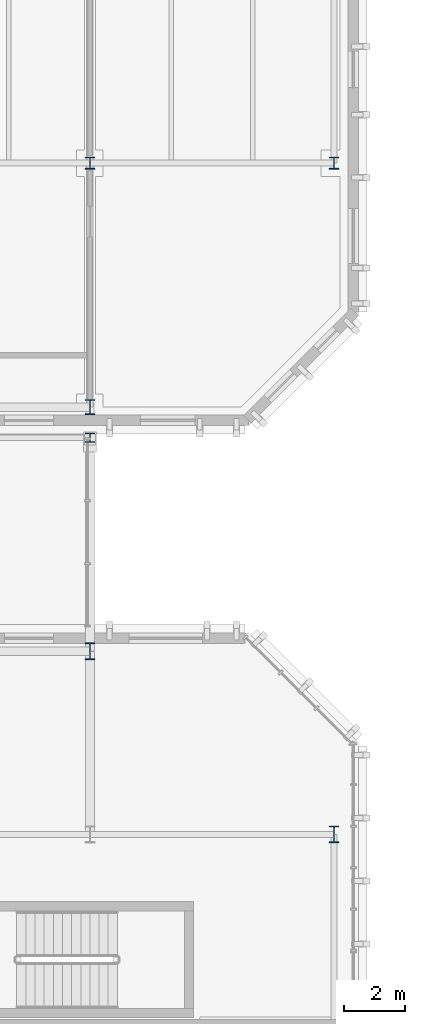
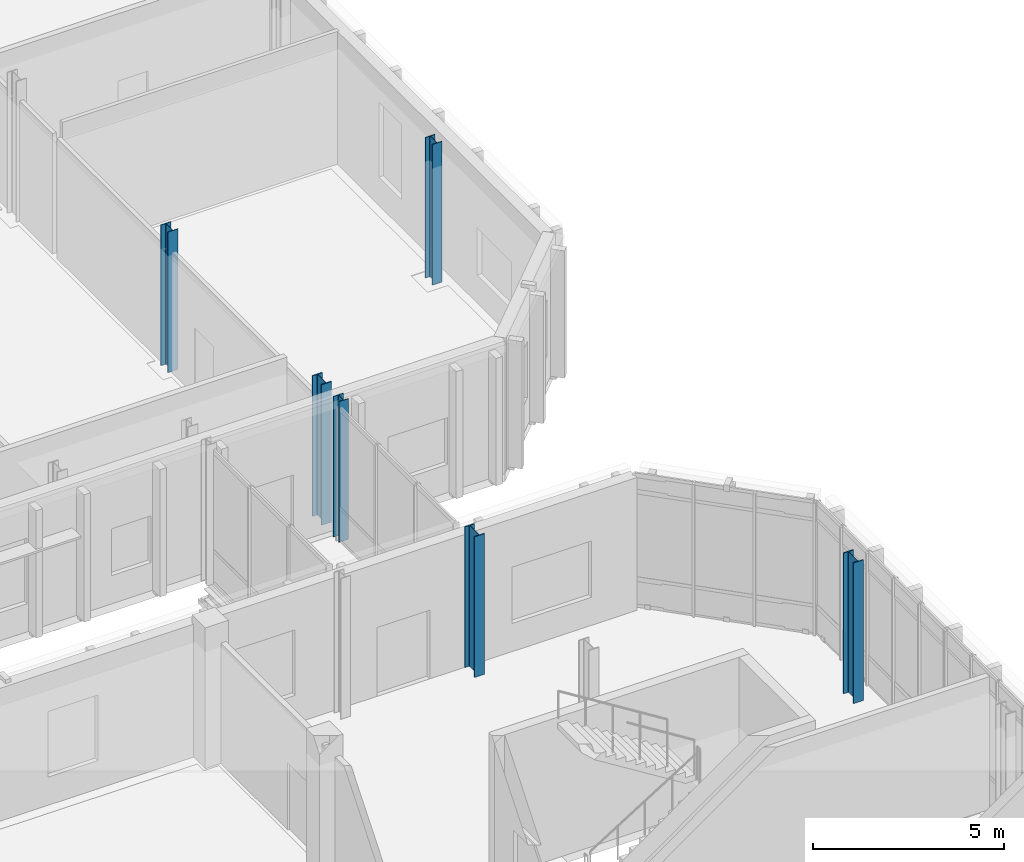
# One storey, part 9 of 100: 6 columns.
"""IFC4 building model written with IfcOpenShell, lengths in metres."""

import ifcopenshell
import ifcopenshell.guid

model = None  # the IFC model being written
_history = None  # IfcOwnerHistory: only IFC2X3 demands one
_inside = {}  # id of a spatial element -> (the spatial element, [elements in it])
_under = {}  # id of a project, library or spatial element -> (it, [spatial elements below it])
_declared = {}  # id of a project -> (the project, [libraries it declares])
_typed = {}  # id of a type object -> (the type object, [elements of that type])
_made_of = {}  # id of a material, layer set ... -> (it, [elements and type objects made of it])


def new_model(schema):
    """Start an empty IFC model of exactly this schema.

    Asked for "IFC4X3", IfcOpenShell would pick the latest addendum, in which some entities
    have other attributes; the version numbers below select the first issue.
    IFC2X3 requires an IfcOwnerHistory on every rooted entity: one is made here for all.
    """
    global model, _history
    if schema == "IFC4X3":
        model = ifcopenshell.file(schema_version=(4, 3, 0, 0))
    else:
        model = ifcopenshell.file(schema=schema)
    _inside.clear()
    _under.clear()
    _declared.clear()
    _typed.clear()
    _made_of.clear()
    _history = None
    if model.schema == "IFC2X3":
        org = make("IfcOrganization", Name="unknown")
        user = make(
            "IfcPersonAndOrganization",
            ThePerson=make("IfcPerson", FamilyName="unknown"),
            TheOrganization=org,
        )
        app = make(
            "IfcApplication",
            ApplicationDeveloper=org,
            Version="unknown",
            ApplicationFullName="unknown",
            ApplicationIdentifier="unknown",
        )
        _history = make(
            "IfcOwnerHistory",
            OwningUser=user,
            OwningApplication=app,
            ChangeAction="ADDED",
            CreationDate=0,
        )
    return model


def make(cls, **values):
    """One entity of the class cls with the attributes given. An attribute that is None is left unset."""
    return model.create_entity(
        cls, **{name: value for name, value in values.items() if value is not None}
    )


def rooted(cls, **values):
    """An entity with a GlobalId (a new one), such as an element, a storey or a relation."""
    return make(cls, GlobalId=ifcopenshell.guid.new(), OwnerHistory=_history, **values)


def si_unit(unit_type, name, prefix=None):
    """IfcSIUnit, for example si_unit("LENGTHUNIT", "METRE", prefix="MILLI")."""
    return make("IfcSIUnit", UnitType=unit_type, Prefix=prefix, Name=name)


def assignment(units):
    """IfcUnitAssignment: the units of a project."""
    return None if units is None else make("IfcUnitAssignment", Units=units)


def point(xyz):
    """IfcCartesianPoint."""
    return None if xyz is None else make("IfcCartesianPoint", Coordinates=xyz)


def direction(xyz):
    """IfcDirection."""
    return None if xyz is None else make("IfcDirection", DirectionRatios=xyz)


def frame(location, z_axis=None, x_axis=None):
    """IfcAxis2Placement3D, a coordinate frame: its origin and axes. An axis left out is left unset."""
    return make(
        "IfcAxis2Placement3D",
        Location=point(location),
        Axis=direction(z_axis),
        RefDirection=direction(x_axis),
    )


def frame_2d(location, x_axis=None):
    """IfcAxis2Placement2D, a coordinate frame in the plane: its origin and x axis."""
    return make(
        "IfcAxis2Placement2D", Location=point(location), RefDirection=direction(x_axis)
    )


def origin():
    """The frame at (0, 0, 0) with its axes left unset."""
    return frame((0.0, 0.0, 0.0))


def origin_2d():
    """The frame at (0, 0) in the plane with its x axis left unset."""
    return frame_2d((0.0, 0.0))


def place(relative_to, where):
    """IfcLocalPlacement: puts the frame where relative to a parent placement (None: the world)."""
    return make(
        "IfcLocalPlacement", PlacementRelTo=relative_to, RelativePlacement=where
    )


def context(
    kind, dimensions, precision=None, world=None, true_north=None, identifier=None
):
    """IfcGeometricRepresentationContext, for example the 3D "Model" context."""
    return make(
        "IfcGeometricRepresentationContext",
        ContextIdentifier=identifier,
        ContextType=kind,
        CoordinateSpaceDimension=dimensions,
        Precision=precision,
        WorldCoordinateSystem=world,
        TrueNorth=true_north,
    )


def subcontext(parent, identifier, kind, view, scale=None):
    """IfcGeometricRepresentationSubContext, for example "Body" below "Model"."""
    return make(
        "IfcGeometricRepresentationSubContext",
        ContextIdentifier=identifier,
        ContextType=kind,
        ParentContext=parent,
        TargetScale=scale,
        TargetView=view,
    )


def project(units=None, contexts=None):
    """IfcProject with its units and contexts."""
    return rooted(
        "IfcProject",
        Name="project",
        RepresentationContexts=contexts,
        UnitsInContext=assignment(units),
    )


def spatial(cls, under=None, at=None, **own):
    """A site, building, storey or space (cls), placed at a placement, below another one or the project."""
    s = rooted(cls, ObjectPlacement=at, **own)
    if under is not None:
        _under.setdefault(under.id(), (under, []))[1].append(s)
    return s


def profile(cls, at=None, kind="AREA", **sizes):
    """A parametric profile (cls). Its sizes go by their IFC names, for example OverallWidth=200.0."""
    return make(cls, ProfileType=kind, Position=at, **sizes)


def i_section(**sizes):
    """IfcIShapeProfileDef."""
    return profile("IfcIShapeProfileDef", **sizes)


def extrude(swept, where, along, depth):
    """IfcExtrudedAreaSolid: the profile swept, set in the frame where, extruded along a direction by depth."""
    return make(
        "IfcExtrudedAreaSolid",
        SweptArea=swept,
        Position=where,
        ExtrudedDirection=direction(along),
        Depth=depth,
    )


def shape(context_of_items, identifier, shape_type, items):
    """IfcShapeRepresentation: the items that make up one representation, for example the "Body"."""
    return make(
        "IfcShapeRepresentation",
        ContextOfItems=context_of_items,
        RepresentationIdentifier=identifier,
        RepresentationType=shape_type,
        Items=items,
    )


def material(Name=None, Category=None):
    """IfcMaterial."""
    return make("IfcMaterial", Name=Name, Category=Category)


def material_profile(
    of_material, cross_section, Name=None, Category=None, Priority=None
):
    """IfcMaterialProfile: a cross section and its material."""
    return make(
        "IfcMaterialProfile",
        Name=Name,
        Material=of_material,
        Profile=cross_section,
        Priority=Priority,
        Category=Category,
    )


def profile_set(profiles, Name=None, composite=None):
    """IfcMaterialProfileSet."""
    return make(
        "IfcMaterialProfileSet",
        Name=Name,
        MaterialProfiles=profiles,
        CompositeProfile=composite,
    )


def made_of(thing, what):
    """Note that an element or type object is made of a material, layer set ...; save() writes the relation."""
    if what is not None:
        _made_of.setdefault(what.id(), (what, []))[1].append(thing)
    return thing


def type_object(cls, material=None, **own):
    """A type object (cls), such as IfcWallType, which elements share."""
    return made_of(rooted(cls, **own), material)


def element(
    cls,
    number,
    at=None,
    inside=None,
    cuts=None,
    type_object=None,
    material=None,
    context=None,
    identifier="Body",
    shape_type=None,
    held_by="IfcProductDefinitionShape",
    body=None,
    shapes=None,
    **own,
):
    """One element of the class cls, such as IfcWall. Its Tag is "e" and its number.

    at: its placement. inside: the storey or other place that contains it. cuts: it is an
    opening in that element (IfcRelVoidsElement). A single representation is given by context,
    identifier, shape_type and body (its items); several are given by shapes. held_by: the class
    of the entity that holds the representations. save() writes the other relations.
    """
    e = rooted(cls, Tag="e%d" % number, ObjectPlacement=at, **own)
    if body is not None:
        shapes = [shape(context, identifier, shape_type, body)]
    if shapes is not None:
        e.Representation = make(held_by, Representations=shapes)
    if inside is not None:
        _inside.setdefault(inside.id(), (inside, []))[1].append(e)
    if cuts is not None:
        rooted(
            "IfcRelVoidsElement", RelatingBuildingElement=cuts, RelatedOpeningElement=e
        )
    if type_object is not None:
        _typed.setdefault(type_object.id(), (type_object, []))[1].append(e)
    return made_of(e, material)


def aggregate(whole, parts):
    """IfcRelAggregates: a whole, such as a stair, and the parts it consists of."""
    return rooted("IfcRelAggregates", RelatingObject=whole, RelatedObjects=parts)


def save(model, path):
    """Write the relations noted so far, then the file.

    IfcRelAggregates (storeys below a building ...), IfcRelContainedInSpatialStructure (elements
    in a storey), IfcRelDefinesByType, IfcRelAssociatesMaterial and IfcRelDeclares: one each for
    every whole, place, type object, material and project.
    """
    for whole, parts in _under.values():
        aggregate(whole, parts)
    for where, things in _inside.values():
        rooted(
            "IfcRelContainedInSpatialStructure",
            RelatedElements=things,
            RelatingStructure=where,
        )
    for kind, things in _typed.values():
        rooted("IfcRelDefinesByType", RelatedObjects=things, RelatingType=kind)
    for what, things in _made_of.values():
        rooted("IfcRelAssociatesMaterial", RelatedObjects=things, RelatingMaterial=what)
    for by, libraries in _declared.values():
        rooted("IfcRelDeclares", RelatingContext=by, RelatedDefinitions=libraries)
    model.write(path)


model = new_model("IFC4")

# Units and contexts
model_context = context("Model", 3, precision=1e-05, world=origin(), true_north=direction((0.0, 1.0)))
body_context = subcontext(model_context, "Body", "Model", "MODEL_VIEW")
ifc_project = project(units=[si_unit("LENGTHUNIT", "METRE"), si_unit("AREAUNIT", "SQUARE_METRE"), si_unit("VOLUMEUNIT", "CUBIC_METRE"), si_unit("PLANEANGLEUNIT", "RADIAN"), si_unit("MASSUNIT", "GRAM", prefix="KILO")], contexts=[model_context])

# Site, building, storey
site_placement = place(None, origin())
site = spatial("IfcSite", under=ifc_project, at=site_placement, CompositionType="ELEMENT")
building_placement = place(site_placement, origin())
building = spatial("IfcBuilding", under=site, at=building_placement, Name="Cymarion Research Institute", CompositionType="ELEMENT")
storey_placement = place(building_placement, frame((0.0, 0.0, 4.800048828125)))
storey = spatial("IfcBuildingStorey", under=building, at=storey_placement, Name="L01", CompositionType="ELEMENT", Elevation=4.800048828125)

# Columns
ifc_material = material(Name="Steel S355", Category="steel")
ifc_material_profile_1 = material_profile(ifc_material, i_section(OverallWidth=0.300048828125, OverallDepth=0.550048828125, WebThickness=0.014892578125, FlangeThickness=0.029052734375, FilletRadius=0.027099609375, at=origin_2d()), Name="HEB 550")
ifc_profile_set_1 = profile_set([ifc_material_profile_1], Name="Steel S355")
column_type_1 = type_object("IfcColumnType", Name="STRUCTURAL COLUMN C03 HEB 550", PredefinedType="COLUMN", material=ifc_profile_set_1)
for number, where, z_axis, x_axis, name in (
    (1, (38.60009765625, 77.5, 0.0), (0.0, 0.0, 1.0), (1.0, 0.0, 0.0), "L01 V4 column C03 #525"),
    (2, (46.60009765625, 71.5, 0.0), (0.0, 0.0, 1.0), (1.0, 0.0, 0.0), "L01 V4 column C03 #544"),
):
    element("IfcColumn", number, at=place(storey_placement, frame(where, z_axis=z_axis, x_axis=x_axis)), inside=storey, type_object=column_type_1, Name=name, PredefinedType="COLUMN", context=body_context, shape_type="SweptSolid", body=[
        extrude(i_section(OverallWidth=0.300048828125, OverallDepth=0.550048828125, WebThickness=0.014892578125, FlangeThickness=0.029052734375, FilletRadius=0.027099609375, at=origin_2d()), origin(), (0.0, 0.0, 1.0), 4.5),
    ])
ifc_material_profile_2 = material_profile(ifc_material, i_section(OverallWidth=0.300048828125, OverallDepth=0.5, WebThickness=0.014404296875, FlangeThickness=0.028076171875, FilletRadius=0.027099609375, at=origin_2d()), Name="HEB 500")
ifc_profile_set_2 = profile_set([ifc_material_profile_2], Name="Steel S355")
column_type_2 = type_object("IfcColumnType", Name="STRUCTURAL COLUMN C04 HEB 500", PredefinedType="COLUMN", material=ifc_profile_set_2)
column_1_placement = place(storey_placement, frame((38.60009765625, 85.5, 0.0), z_axis=(0.0, 0.0, 1.0), x_axis=(1.0, 0.0, 0.0)))
element("IfcColumn", 3, at=column_1_placement, inside=storey, type_object=column_type_2, Name="L01 V5 column C04 #527", PredefinedType="COLUMN", context=body_context, shape_type="SweptSolid", body=[
    extrude(i_section(OverallWidth=0.300048828125, OverallDepth=0.5, WebThickness=0.014404296875, FlangeThickness=0.028076171875, FilletRadius=0.027099609375, at=origin_2d()), origin(), (0.0, 0.0, 1.0), 4.5),
])
ifc_material_profile_3 = material_profile(ifc_material, i_section(OverallWidth=0.300048828125, OverallDepth=0.300048828125, WebThickness=0.010986328125, FlangeThickness=0.01904296875, FilletRadius=0.027099609375, at=origin_2d()), Name="HEB 300")
ifc_profile_set_3 = profile_set([ifc_material_profile_3], Name="Steel S355")
column_type_3 = type_object("IfcColumnType", Name="STRUCTURAL COLUMN C08 HEB 300", PredefinedType="COLUMN", material=ifc_profile_set_3)
column_2_placement = place(storey_placement, frame((38.60009765625, 84.5, 0.0), z_axis=(0.0, 0.0, 1.0), x_axis=(1.0, 0.0, 0.0)))
element("IfcColumn", 4, at=column_2_placement, inside=storey, type_object=column_type_3, Name="L01 V4 column C08 #526", PredefinedType="COLUMN", context=body_context, shape_type="SweptSolid", body=[
    extrude(i_section(OverallWidth=0.300048828125, OverallDepth=0.300048828125, WebThickness=0.010986328125, FlangeThickness=0.01904296875, FilletRadius=0.027099609375, at=origin_2d()), origin(), (0.0, 0.0, 1.0), 4.5),
])
ifc_material_profile_4 = material_profile(ifc_material, i_section(OverallWidth=0.300048828125, OverallDepth=0.389892578125, WebThickness=0.010986328125, FlangeThickness=0.01904296875, FilletRadius=0.027099609375, at=origin_2d()), Name="HEA 400")
ifc_profile_set_4 = profile_set([ifc_material_profile_4], Name="Steel S355")
column_type_4 = type_object("IfcColumnType", Name="STRUCTURAL COLUMN C11 HEA 400", PredefinedType="COLUMN", material=ifc_profile_set_4)
for number, where, z_axis, x_axis, name in (
    (5, (38.60009765625, 93.5, 0.0), (0.0, 0.0, 1.0), (1.0, 0.0, 0.0), "L01 V5 column C11 #528"),
    (6, (46.60009765625, 93.5, 0.0), (0.0, 0.0, 1.0), (1.0, 0.0, 0.0), "L01 V5 column C11 #545"),
):
    element("IfcColumn", number, at=place(storey_placement, frame(where, z_axis=z_axis, x_axis=x_axis)), inside=storey, type_object=column_type_4, Name=name, PredefinedType="COLUMN", context=body_context, shape_type="SweptSolid", body=[
        extrude(i_section(OverallWidth=0.300048828125, OverallDepth=0.389892578125, WebThickness=0.010986328125, FlangeThickness=0.01904296875, FilletRadius=0.027099609375, at=origin_2d()), origin(), (0.0, 0.0, 1.0), 4.5),
    ])

save(model, "model.ifc")
